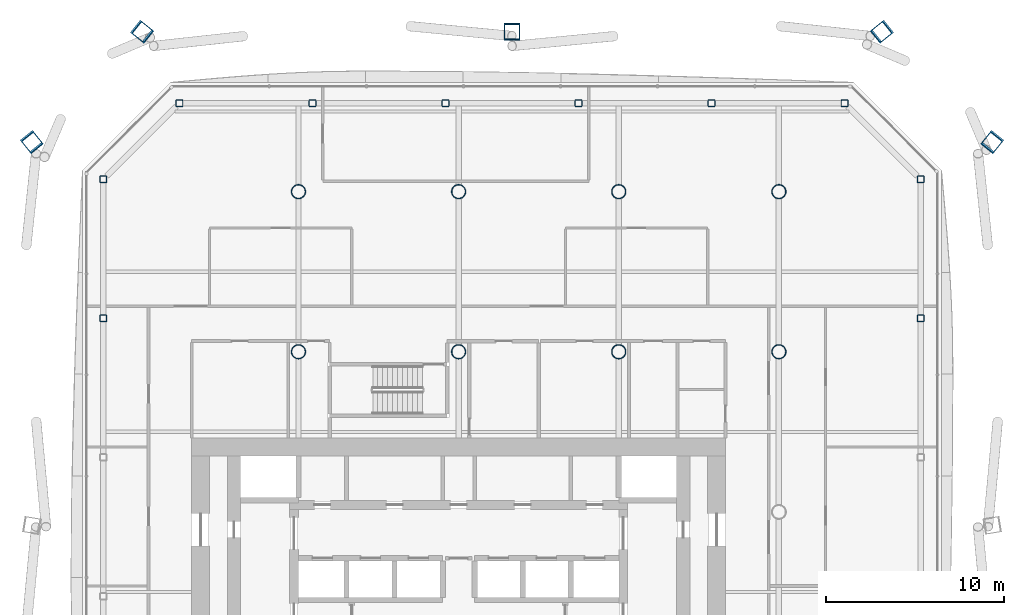
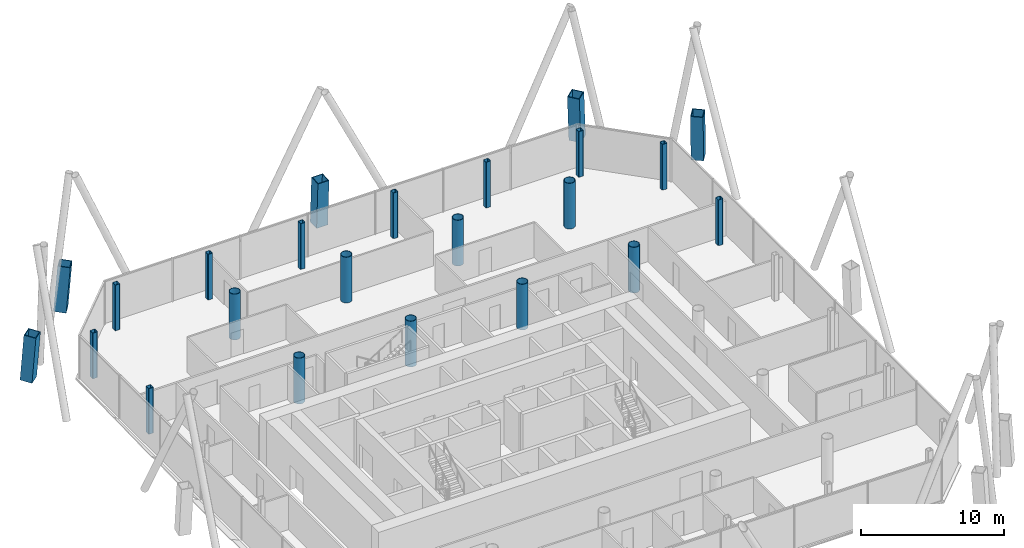
# One storey, part 2 of 22: 23 columns.
"""IFC4 building model written with IfcOpenShell, lengths in metres."""

from ifc_helpers import new_model, si_unit, direction, frame, origin, origin_2d, place, context, subcontext, project, spatial, hollow_rectangle, hollow_circle, extrude, material, material_profile, profile_set, type_object, element, save


model = new_model("IFC4")

# Units and contexts
model_context = context("Model", 3, precision=1e-05, world=origin(), true_north=direction((0.0, 1.0)))
body_context = subcontext(model_context, "Body", "Model", "MODEL_VIEW")
ifc_project = project(units=[si_unit("LENGTHUNIT", "METRE"), si_unit("AREAUNIT", "SQUARE_METRE"), si_unit("VOLUMEUNIT", "CUBIC_METRE"), si_unit("PLANEANGLEUNIT", "RADIAN"), si_unit("MASSUNIT", "GRAM", prefix="KILO")], contexts=[model_context])

# Site, building, storey
site_placement = place(None, origin())
site = spatial("IfcSite", under=ifc_project, at=site_placement, CompositionType="ELEMENT")
building_placement = place(site_placement, origin())
building = spatial("IfcBuilding", under=site, at=building_placement, Name="Tskaro Facet Tower", CompositionType="ELEMENT")
storey_placement = place(building_placement, frame((0.0, 0.0, 97.199951171875)))
storey = spatial("IfcBuildingStorey", under=building, at=storey_placement, Name="L23", CompositionType="ELEMENT", Elevation=97.199951171875)

# Columns
ifc_material_1 = material(Name="Steel S460M", Category="steel")
ifc_material_profile_1 = material_profile(ifc_material_1, hollow_rectangle(XDim=0.89990234375, YDim=0.89990234375, WallThickness=0.054931640625, at=origin_2d()), Name="BOX 900x900x55")
ifc_profile_set_1 = profile_set([ifc_material_profile_1], Name="Steel S460M")
column_type_1 = type_object("IfcColumnType", Name="BOX 900x900x55 mega column", PredefinedType="COLUMN", material=ifc_profile_set_1)
for number, where, z_axis, x_axis, name in (
    (1, (30.014892578125, 20.821044921875, 0.0), (-0.046755321243, -0.05805400368, 0.997217966441), (0.778822091241, -0.627244888537, 0.0), "BOX 900x900x55 MC06/2"),
    (2, (23.821044921875, 27.014892578125, 0.0), (-0.05805400368, -0.046755321243, 0.997217966441), (0.627244888537, -0.778822091241, 0.0), "BOX 900x900x55 MC07/2"),
):
    element("IfcColumn", number, at=place(storey_placement, frame(where, z_axis=z_axis, x_axis=x_axis)), inside=storey, type_object=column_type_1, Name=name, PredefinedType="COLUMN", context=body_context, shape_type="SweptSolid", body=[
        extrude(hollow_rectangle(XDim=0.89990234375, YDim=0.89990234375, WallThickness=0.054931640625, at=origin_2d()), origin(), (0.0, 0.0, 1.0), 3.9111328125),
    ])
column_placement = place(storey_placement, frame((3.0, 27.014892578125, 0.0), z_axis=(0.0, -0.046834309926, 0.998902671642), x_axis=(1.0, 0.0, 0.0)))
element("IfcColumn", 3, at=column_placement, inside=storey, type_object=column_type_1, Name="BOX 900x900x55 MC08/2", PredefinedType="COLUMN", context=body_context, shape_type="SweptSolid", body=[
    extrude(hollow_rectangle(XDim=0.89990234375, YDim=0.89990234375, WallThickness=0.054931640625, at=origin_2d()), origin(), (0.0, 0.0, 1.0), 3.904541015625),
])
for number, where, z_axis, x_axis, name in (
    (4, (-17.821044921875, 27.014892578125, 0.0), (0.05805400368, -0.046755321243, 0.997217966441), (0.627244888537, 0.778822091241, 0.0), "BOX 900x900x55 MC09/2"),
    (5, (-24.014892578125, 20.821044921875, 0.0), (0.046755321243, -0.05805400368, 0.997217966441), (0.778822091241, 0.627244888537, 0.0), "BOX 900x900x55 MC10/2"),
):
    element("IfcColumn", number, at=place(storey_placement, frame(where, z_axis=z_axis, x_axis=x_axis)), inside=storey, type_object=column_type_1, Name=name, PredefinedType="COLUMN", context=body_context, shape_type="SweptSolid", body=[
        extrude(hollow_rectangle(XDim=0.89990234375, YDim=0.89990234375, WallThickness=0.054931640625, at=origin_2d()), origin(), (0.0, 0.0, 1.0), 3.9111328125),
    ])
ifc_material_2 = material(Name="Steel S355J2H", Category="steel")
ifc_material_profile_2 = material_profile(ifc_material_2, hollow_circle(Radius=0.406494140625, WallThickness=0.035888671875, at=origin_2d()), Name="CHS 812.8x36")
ifc_profile_set_2 = profile_set([ifc_material_profile_2], Name="Steel S355J2H")
column_type_2 = type_object("IfcColumnType", Name="CHS 812.8x36 interior column", PredefinedType="COLUMN", material=ifc_profile_set_2)
for number, where, z_axis, x_axis, name in (
    (6, (-9.0, 9.0, 0.0), (0.0, 0.0, 1.0), (1.0, 0.0, 0.0), "CHS 812.8x36 C3E/2"),
    (7, (-9.0, 18.0, 0.0), (0.0, 0.0, 1.0), (1.0, 0.0, 0.0), "CHS 812.8x36 C3F/2"),
    (8, (0.0, 9.0, 0.0), (0.0, 0.0, 1.0), (1.0, 0.0, 0.0), "CHS 812.8x36 C4E/2"),
    (9, (0.0, 18.0, 0.0), (0.0, 0.0, 1.0), (1.0, 0.0, 0.0), "CHS 812.8x36 C4F/2"),
    (10, (9.0, 9.0, 0.0), (0.0, 0.0, 1.0), (1.0, 0.0, 0.0), "CHS 812.8x36 C5E/2"),
    (11, (9.0, 18.0, 0.0), (0.0, 0.0, 1.0), (1.0, 0.0, 0.0), "CHS 812.8x36 C5F/2"),
    (12, (18.0, 9.0, 0.0), (0.0, 0.0, 1.0), (1.0, 0.0, 0.0), "CHS 812.8x36 C6E/2"),
    (13, (18.0, 18.0, 0.0), (0.0, 0.0, 1.0), (1.0, 0.0, 0.0), "CHS 812.8x36 C6F/2"),
):
    element("IfcColumn", number, at=place(storey_placement, frame(where, z_axis=z_axis, x_axis=x_axis)), inside=storey, type_object=column_type_2, Name=name, PredefinedType="COLUMN", context=body_context, shape_type="SweptSolid", body=[
        extrude(hollow_circle(Radius=0.406494140625, WallThickness=0.035888671875, at=origin_2d()), origin(), (0.0, 0.0, 1.0), 3.900146484375),
    ])
ifc_material_profile_3 = material_profile(ifc_material_2, hollow_rectangle(XDim=0.39990234375, YDim=0.39990234375, WallThickness=0.02490234375, InnerFilletRadius=0.03759765625, OuterFilletRadius=0.0625, at=origin_2d()), Name="SHS 400x400x25")
ifc_profile_set_3 = profile_set([ifc_material_profile_3], Name="Steel S355J2H")
column_type_3 = type_object("IfcColumnType", Name="SHS 400x400x25 ring column", PredefinedType="COLUMN", material=ifc_profile_set_3)
for number, where, z_axis, x_axis, name in (
    (14, (25.965087890625, 10.87890625, 0.0), (0.0, 0.0, 1.0), (1.0, 0.0, 0.0), "SHS 400x400x25 RE-5/2"),
    (15, (25.965087890625, 18.68994140625, 0.0), (0.0, 0.0, 1.0), (1.0, 0.0, 0.0), "SHS 400x400x25 RNE-1/2"),
    (16, (21.68994140625, 22.965087890625, 0.0), (0.0, 0.0, 1.0), (1.0, 0.0, 0.0), "SHS 400x400x25 RN-1/2"),
    (17, (14.214111328125, 22.965087890625, 0.0), (0.0, 0.0, 1.0), (1.0, 0.0, 0.0), "SHS 400x400x25 RN-2/2"),
    (18, (6.738037109375, 22.965087890625, 0.0), (0.0, 0.0, 1.0), (1.0, 0.0, 0.0), "SHS 400x400x25 RN-3/2"),
    (19, (-0.738037109375, 22.965087890625, 0.0), (0.0, 0.0, 1.0), (1.0, 0.0, 0.0), "SHS 400x400x25 RN-4/2"),
    (20, (-8.214111328125, 22.965087890625, 0.0), (0.0, 0.0, 1.0), (1.0, 0.0, 0.0), "SHS 400x400x25 RN-5/2"),
    (21, (-15.68994140625, 22.965087890625, 0.0), (0.0, 0.0, 1.0), (1.0, 0.0, 0.0), "SHS 400x400x25 RNW-1/2"),
    (22, (-19.965087890625, 18.68994140625, 0.0), (0.0, 0.0, 1.0), (1.0, 0.0, 0.0), "SHS 400x400x25 RW-1/2"),
    (23, (-19.965087890625, 10.87890625, 0.0), (0.0, 0.0, 1.0), (1.0, 0.0, 0.0), "SHS 400x400x25 RW-2/2"),
):
    element("IfcColumn", number, at=place(storey_placement, frame(where, z_axis=z_axis, x_axis=x_axis)), inside=storey, type_object=column_type_3, Name=name, PredefinedType="COLUMN", context=body_context, shape_type="SweptSolid", body=[
        extrude(hollow_rectangle(XDim=0.39990234375, YDim=0.39990234375, WallThickness=0.02490234375, InnerFilletRadius=0.03759765625, OuterFilletRadius=0.0625, at=origin_2d()), origin(), (0.0, 0.0, 1.0), 3.900146484375),
    ])

save(model, "model.ifc")
